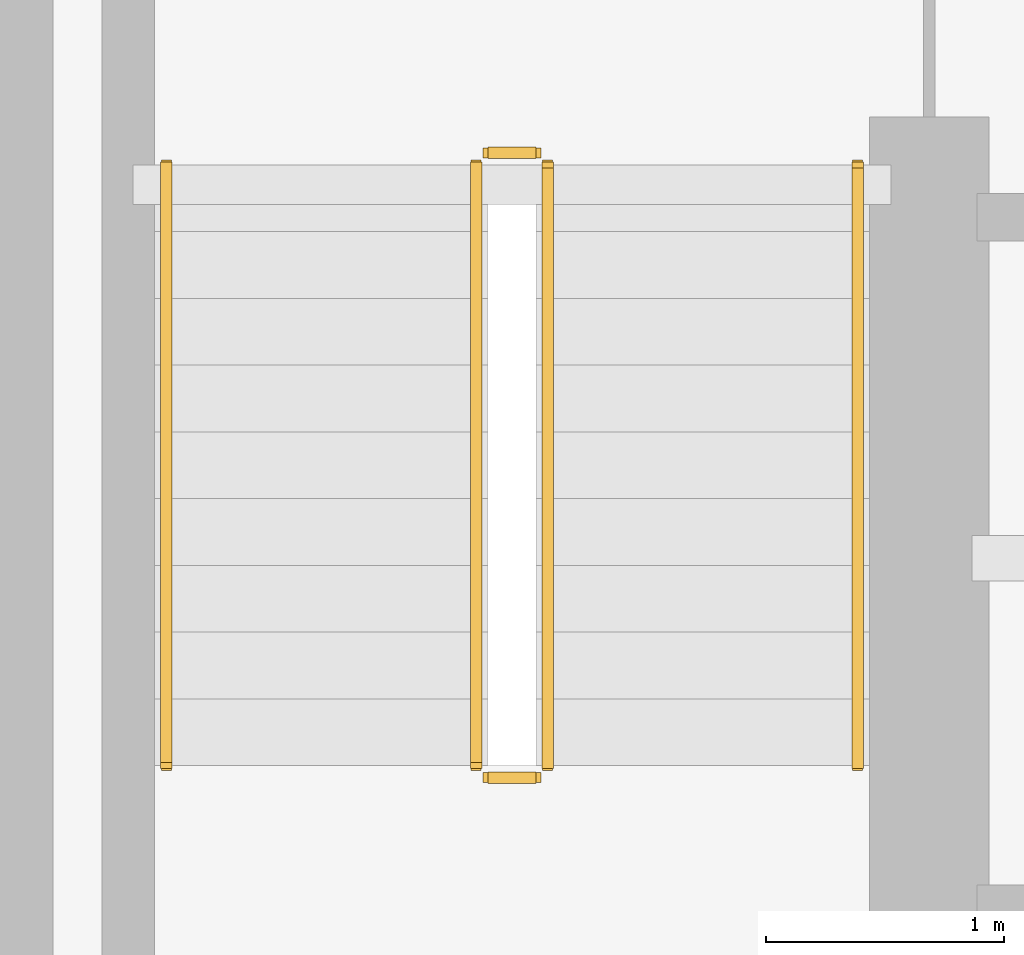
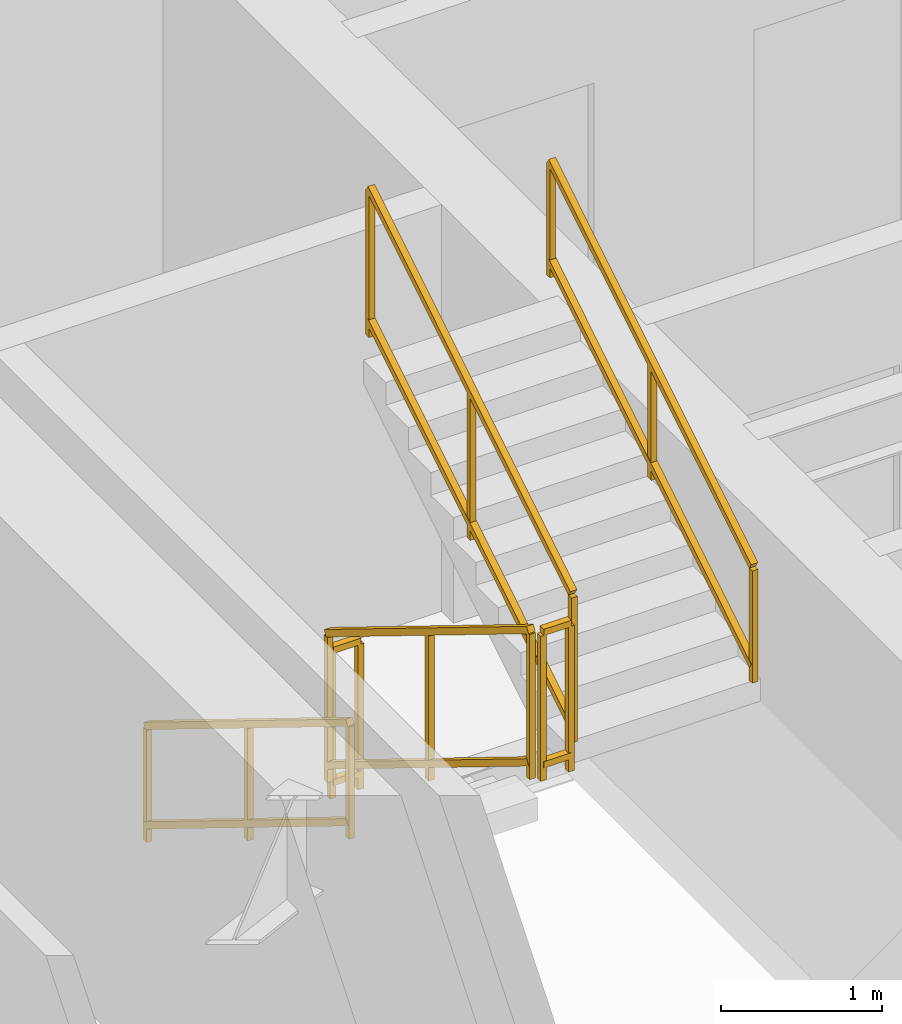
# One storey, part 28 of 31: 6 railings.
"""IFC4 building model written with IfcOpenShell, lengths in metres."""

from ifc_helpers import new_model, si_unit, direction, frame, origin, origin_2d, place, context, subcontext, project, spatial, rectangle, extrude, material, type_object, element, save


model = new_model("IFC4")

# Units and contexts
model_context = context("Model", 3, precision=1e-05, world=origin(), true_north=direction((0.0, 1.0)))
body_context = subcontext(model_context, "Body", "Model", "MODEL_VIEW")
ifc_project = project(units=[si_unit("LENGTHUNIT", "METRE"), si_unit("AREAUNIT", "SQUARE_METRE"), si_unit("VOLUMEUNIT", "CUBIC_METRE"), si_unit("PLANEANGLEUNIT", "RADIAN"), si_unit("MASSUNIT", "GRAM", prefix="KILO")], contexts=[model_context])

# Site, building, storey
site_placement = place(None, origin())
site = spatial("IfcSite", under=ifc_project, at=site_placement, CompositionType="ELEMENT")
building_placement = place(site_placement, origin())
building = spatial("IfcBuilding", under=site, at=building_placement, Name="Qarnah Convention Tower", CompositionType="ELEMENT")
storey_placement = place(building_placement, frame((0.0, 0.0, 68.39990234375)))
storey = spatial("IfcBuildingStorey", under=building, at=storey_placement, Name="L17", CompositionType="ELEMENT", Elevation=68.39990234375)

# Railings
ifc_material = material(Name="Structural steel S355JR", Category="steel")
railing_type_1 = type_object("IfcRailingType", Name="RL-STAIR-GUARD-1150", PredefinedType="GUARDRAIL", material=ifc_material)
railing_1_placement = place(storey_placement, frame((28.89990234375, 25.300048828125, 0.172607421875)))
element("IfcRailing", 1, at=railing_1_placement, inside=storey, type_object=railing_type_1, Name="L17 ST-1 stair guard 1", PredefinedType="GUARDRAIL", context=body_context, shape_type="SweptSolid", body=[
    extrude(rectangle(XDim=0.048095703125, YDim=0.048095703125, at=origin_2d()), frame((0.0, 0.0, 1.1259765625), z_axis=(0.0, -0.851400495292, 0.524516154772), x_axis=(1.0, 0.0, 0.0)), (0.0, 0.0, 1.0), 2.9599609375),
    extrude(rectangle(XDim=0.048095703125, YDim=0.048095703125, at=origin_2d()), frame((0.0, 0.0, 0.1201171875), z_axis=(0.0, -0.851400495292, 0.524516154772), x_axis=(1.0, 0.0, 0.0)), (0.0, 0.0, 1.0), 2.9599609375),
    extrude(rectangle(XDim=0.0419921875, YDim=0.0419921875, at=origin_2d()), origin(), (0.0, 0.0, 1.0), 1.101806640625),
    extrude(rectangle(XDim=0.0419921875, YDim=0.0419921875, at=origin_2d()), frame((0.0, -1.260009765625, 0.7763671875)), (0.0, 0.0, 1.0), 1.101806640625),
    extrude(rectangle(XDim=0.0419921875, YDim=0.0419921875, at=origin_2d()), frame((0.0, -2.52001953125, 1.552490234375)), (0.0, 0.0, 1.0), 1.101806640625),
])
railing_2_placement = place(storey_placement, frame((28.949951171875, 22.72998046875, 1.72509765625)))
element("IfcRailing", 2, at=railing_2_placement, inside=storey, type_object=railing_type_1, Name="L17 ST-1 stair guard 2", PredefinedType="GUARDRAIL", context=body_context, shape_type="SweptSolid", body=[
    extrude(rectangle(XDim=0.048095703125, YDim=0.048095703125, at=origin_2d()), frame((0.0, 0.0, 1.1259765625), z_axis=(1.0, 0.0, 0.0), x_axis=(0.0, 1.0, 0.0)), (0.0, 0.0, 1.0), 0.199951171875),
    extrude(rectangle(XDim=0.048095703125, YDim=0.048095703125, at=origin_2d()), frame((0.0, 0.0, 0.1201171875), z_axis=(1.0, 0.0, 0.0), x_axis=(0.0, 1.0, 0.0)), (0.0, 0.0, 1.0), 0.199951171875),
    extrude(rectangle(XDim=0.0419921875, YDim=0.0419921875, at=origin_2d()), origin(), (0.0, 0.0, 1.0), 1.101806640625),
    extrude(rectangle(XDim=0.0419921875, YDim=0.0419921875, at=origin_2d()), frame((0.199951171875, 0.0, 0.0)), (0.0, 0.0, 1.0), 1.101806640625),
])
railing_3_placement = place(storey_placement, frame((29.199951171875, 22.780029296875, 1.897705078125)))
element("IfcRailing", 3, at=railing_3_placement, inside=storey, type_object=railing_type_1, Name="L17 ST-1 stair guard 3", PredefinedType="GUARDRAIL", context=body_context, shape_type="SweptSolid", body=[
    extrude(rectangle(XDim=0.048095703125, YDim=0.048095703125, at=origin_2d()), frame((0.0, 0.0, 1.1259765625), z_axis=(0.0, 0.851400495292, 0.524516154772), x_axis=(-1.0, 0.0, 0.0)), (0.0, 0.0, 1.0), 2.9599609375),
    extrude(rectangle(XDim=0.048095703125, YDim=0.048095703125, at=origin_2d()), frame((0.0, 0.0, 0.1201171875), z_axis=(0.0, 0.851400495292, 0.524516154772), x_axis=(-1.0, 0.0, 0.0)), (0.0, 0.0, 1.0), 2.9599609375),
    extrude(rectangle(XDim=0.0419921875, YDim=0.0419921875, at=origin_2d()), origin(), (0.0, 0.0, 1.0), 1.101806640625),
    extrude(rectangle(XDim=0.0419921875, YDim=0.0419921875, at=origin_2d()), frame((0.0, 1.260009765625, 0.7763671875)), (0.0, 0.0, 1.0), 1.101806640625),
    extrude(rectangle(XDim=0.0419921875, YDim=0.0419921875, at=origin_2d()), frame((0.0, 2.52001953125, 1.552490234375)), (0.0, 0.0, 1.0), 1.101806640625),
])
railing_4_placement = place(storey_placement, frame((28.949951171875, 25.35009765625, 0.0)))
element("IfcRailing", 4, at=railing_4_placement, inside=storey, type_object=railing_type_1, Name="L17 ST-1 stair guard 4", PredefinedType="GUARDRAIL", context=body_context, shape_type="SweptSolid", body=[
    extrude(rectangle(XDim=0.048095703125, YDim=0.048095703125, at=origin_2d()), frame((0.0, 0.0, 1.1259765625), z_axis=(1.0, 0.0, 0.0), x_axis=(0.0, 1.0, 0.0)), (0.0, 0.0, 1.0), 0.199951171875),
    extrude(rectangle(XDim=0.048095703125, YDim=0.048095703125, at=origin_2d()), frame((0.0, 0.0, 0.1201171875), z_axis=(1.0, 0.0, 0.0), x_axis=(0.0, 1.0, 0.0)), (0.0, 0.0, 1.0), 0.199951171875),
    extrude(rectangle(XDim=0.0419921875, YDim=0.0419921875, at=origin_2d()), origin(), (0.0, 0.0, 1.0), 1.101806640625),
    extrude(rectangle(XDim=0.0419921875, YDim=0.0419921875, at=origin_2d()), frame((0.199951171875, 0.0, 0.0)), (0.0, 0.0, 1.0), 1.101806640625),
])
railing_type_2 = type_object("IfcRailingType", Name="RL-STAIR-HAND-900", PredefinedType="HANDRAIL", material=ifc_material)
railing_5_placement = place(storey_placement, frame((27.60009765625, 25.300048828125, 0.172607421875)))
element("IfcRailing", 5, at=railing_5_placement, inside=storey, type_object=railing_type_2, Name="L17 ST-1 stair handrail 1", PredefinedType="HANDRAIL", context=body_context, shape_type="SweptSolid", body=[
    extrude(rectangle(XDim=0.048095703125, YDim=0.048095703125, at=origin_2d()), frame((0.0, 0.0, 0.8759765625), z_axis=(0.0, -0.851400495292, 0.524516154772), x_axis=(1.0, 0.0, 0.0)), (0.0, 0.0, 1.0), 2.9599609375),
    extrude(rectangle(XDim=0.048095703125, YDim=0.048095703125, at=origin_2d()), frame((0.0, 0.0, 0.1201171875), z_axis=(0.0, -0.851400495292, 0.524516154772), x_axis=(1.0, 0.0, 0.0)), (0.0, 0.0, 1.0), 2.9599609375),
    extrude(rectangle(XDim=0.0419921875, YDim=0.0419921875, at=origin_2d()), origin(), (0.0, 0.0, 1.0), 0.851806640625),
    extrude(rectangle(XDim=0.0419921875, YDim=0.0419921875, at=origin_2d()), frame((0.0, -1.260009765625, 0.7763671875)), (0.0, 0.0, 1.0), 0.851806640625),
    extrude(rectangle(XDim=0.0419921875, YDim=0.0419921875, at=origin_2d()), frame((0.0, -2.52001953125, 1.552490234375)), (0.0, 0.0, 1.0), 0.851806640625),
])
railing_6_placement = place(storey_placement, frame((30.5, 22.780029296875, 1.897705078125)))
element("IfcRailing", 6, at=railing_6_placement, inside=storey, type_object=railing_type_2, Name="L17 ST-1 stair handrail 2", PredefinedType="HANDRAIL", context=body_context, shape_type="SweptSolid", body=[
    extrude(rectangle(XDim=0.048095703125, YDim=0.048095703125, at=origin_2d()), frame((0.0, 0.0, 0.8759765625), z_axis=(0.0, 0.851400495292, 0.524516154772), x_axis=(-1.0, 0.0, 0.0)), (0.0, 0.0, 1.0), 2.9599609375),
    extrude(rectangle(XDim=0.048095703125, YDim=0.048095703125, at=origin_2d()), frame((0.0, 0.0, 0.1201171875), z_axis=(0.0, 0.851400495292, 0.524516154772), x_axis=(-1.0, 0.0, 0.0)), (0.0, 0.0, 1.0), 2.9599609375),
    extrude(rectangle(XDim=0.0419921875, YDim=0.0419921875, at=origin_2d()), origin(), (0.0, 0.0, 1.0), 0.851806640625),
    extrude(rectangle(XDim=0.0419921875, YDim=0.0419921875, at=origin_2d()), frame((0.0, 1.260009765625, 0.7763671875)), (0.0, 0.0, 1.0), 0.851806640625),
    extrude(rectangle(XDim=0.0419921875, YDim=0.0419921875, at=origin_2d()), frame((0.0, 2.52001953125, 1.552490234375)), (0.0, 0.0, 1.0), 0.851806640625),
])

save(model, "model.ifc")
